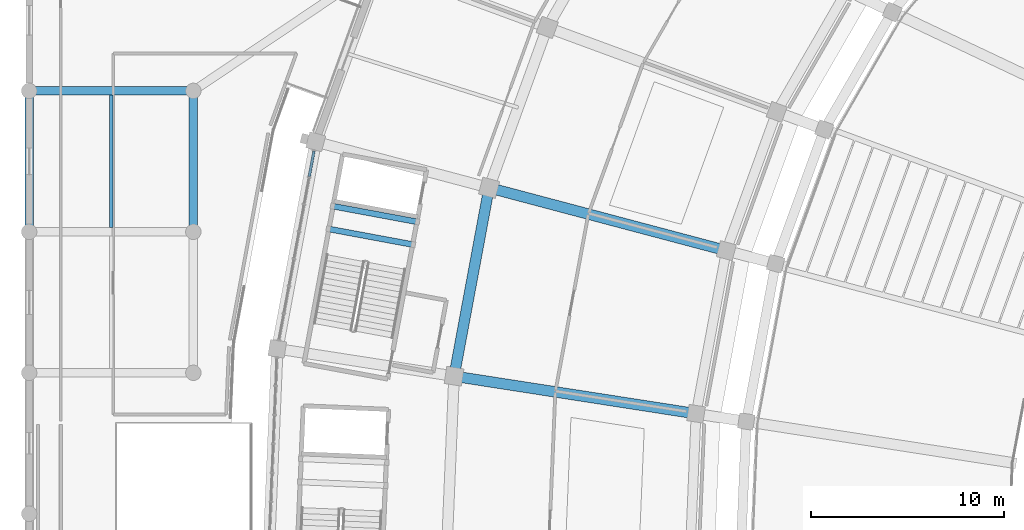
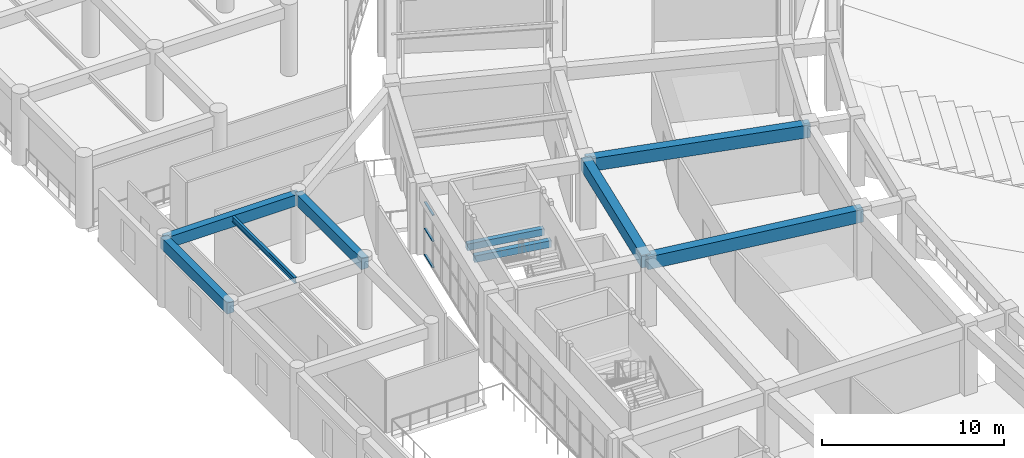
# One storey, part 31 of 152: 9 beams, 3 members, 1 element without a shape of its own.
"""IFC4 building model written with IfcOpenShell, lengths in metres."""

import ifcopenshell
import ifcopenshell.guid

model = None  # the IFC model being written
_history = None  # IfcOwnerHistory: only IFC2X3 demands one
_inside = {}  # id of a spatial element -> (the spatial element, [elements in it])
_under = {}  # id of a project, library or spatial element -> (it, [spatial elements below it])
_declared = {}  # id of a project -> (the project, [libraries it declares])
_typed = {}  # id of a type object -> (the type object, [elements of that type])
_made_of = {}  # id of a material, layer set ... -> (it, [elements and type objects made of it])


def new_model(schema):
    """Start an empty IFC model of exactly this schema.

    Asked for "IFC4X3", IfcOpenShell would pick the latest addendum, in which some entities
    have other attributes; the version numbers below select the first issue.
    IFC2X3 requires an IfcOwnerHistory on every rooted entity: one is made here for all.
    """
    global model, _history
    if schema == "IFC4X3":
        model = ifcopenshell.file(schema_version=(4, 3, 0, 0))
    else:
        model = ifcopenshell.file(schema=schema)
    _inside.clear()
    _under.clear()
    _declared.clear()
    _typed.clear()
    _made_of.clear()
    _history = None
    if model.schema == "IFC2X3":
        org = make("IfcOrganization", Name="unknown")
        user = make(
            "IfcPersonAndOrganization",
            ThePerson=make("IfcPerson", FamilyName="unknown"),
            TheOrganization=org,
        )
        app = make(
            "IfcApplication",
            ApplicationDeveloper=org,
            Version="unknown",
            ApplicationFullName="unknown",
            ApplicationIdentifier="unknown",
        )
        _history = make(
            "IfcOwnerHistory",
            OwningUser=user,
            OwningApplication=app,
            ChangeAction="ADDED",
            CreationDate=0,
        )
    return model


def make(cls, **values):
    """One entity of the class cls with the attributes given. An attribute that is None is left unset."""
    return model.create_entity(
        cls, **{name: value for name, value in values.items() if value is not None}
    )


def rooted(cls, **values):
    """An entity with a GlobalId (a new one), such as an element, a storey or a relation."""
    return make(cls, GlobalId=ifcopenshell.guid.new(), OwnerHistory=_history, **values)


def si_unit(unit_type, name, prefix=None):
    """IfcSIUnit, for example si_unit("LENGTHUNIT", "METRE", prefix="MILLI")."""
    return make("IfcSIUnit", UnitType=unit_type, Prefix=prefix, Name=name)


def assignment(units):
    """IfcUnitAssignment: the units of a project."""
    return None if units is None else make("IfcUnitAssignment", Units=units)


def point(xyz):
    """IfcCartesianPoint."""
    return None if xyz is None else make("IfcCartesianPoint", Coordinates=xyz)


def direction(xyz):
    """IfcDirection."""
    return None if xyz is None else make("IfcDirection", DirectionRatios=xyz)


def frame(location, z_axis=None, x_axis=None):
    """IfcAxis2Placement3D, a coordinate frame: its origin and axes. An axis left out is left unset."""
    return make(
        "IfcAxis2Placement3D",
        Location=point(location),
        Axis=direction(z_axis),
        RefDirection=direction(x_axis),
    )


def frame_2d(location, x_axis=None):
    """IfcAxis2Placement2D, a coordinate frame in the plane: its origin and x axis."""
    return make(
        "IfcAxis2Placement2D", Location=point(location), RefDirection=direction(x_axis)
    )


def origin():
    """The frame at (0, 0, 0) with its axes left unset."""
    return frame((0.0, 0.0, 0.0))


def origin_2d():
    """The frame at (0, 0) in the plane with its x axis left unset."""
    return frame_2d((0.0, 0.0))


def place(relative_to, where):
    """IfcLocalPlacement: puts the frame where relative to a parent placement (None: the world)."""
    return make(
        "IfcLocalPlacement", PlacementRelTo=relative_to, RelativePlacement=where
    )


def context(
    kind, dimensions, precision=None, world=None, true_north=None, identifier=None
):
    """IfcGeometricRepresentationContext, for example the 3D "Model" context."""
    return make(
        "IfcGeometricRepresentationContext",
        ContextIdentifier=identifier,
        ContextType=kind,
        CoordinateSpaceDimension=dimensions,
        Precision=precision,
        WorldCoordinateSystem=world,
        TrueNorth=true_north,
    )


def subcontext(parent, identifier, kind, view, scale=None):
    """IfcGeometricRepresentationSubContext, for example "Body" below "Model"."""
    return make(
        "IfcGeometricRepresentationSubContext",
        ContextIdentifier=identifier,
        ContextType=kind,
        ParentContext=parent,
        TargetScale=scale,
        TargetView=view,
    )


def project(units=None, contexts=None):
    """IfcProject with its units and contexts."""
    return rooted(
        "IfcProject",
        Name="project",
        RepresentationContexts=contexts,
        UnitsInContext=assignment(units),
    )


def spatial(cls, under=None, at=None, **own):
    """A site, building, storey or space (cls), placed at a placement, below another one or the project."""
    s = rooted(cls, ObjectPlacement=at, **own)
    if under is not None:
        _under.setdefault(under.id(), (under, []))[1].append(s)
    return s


def profile(cls, at=None, kind="AREA", **sizes):
    """A parametric profile (cls). Its sizes go by their IFC names, for example OverallWidth=200.0."""
    return make(cls, ProfileType=kind, Position=at, **sizes)


def rectangle(**sizes):
    """IfcRectangleProfileDef."""
    return profile("IfcRectangleProfileDef", **sizes)


def i_section(**sizes):
    """IfcIShapeProfileDef."""
    return profile("IfcIShapeProfileDef", **sizes)


def extrude(swept, where, along, depth):
    """IfcExtrudedAreaSolid: the profile swept, set in the frame where, extruded along a direction by depth."""
    return make(
        "IfcExtrudedAreaSolid",
        SweptArea=swept,
        Position=where,
        ExtrudedDirection=direction(along),
        Depth=depth,
    )


def shape(context_of_items, identifier, shape_type, items):
    """IfcShapeRepresentation: the items that make up one representation, for example the "Body"."""
    return make(
        "IfcShapeRepresentation",
        ContextOfItems=context_of_items,
        RepresentationIdentifier=identifier,
        RepresentationType=shape_type,
        Items=items,
    )


def material(Name=None, Category=None):
    """IfcMaterial."""
    return make("IfcMaterial", Name=Name, Category=Category)


def layer(
    of_material, thickness, ventilated=None, Name=None, Category=None, Priority=None
):
    """IfcMaterialLayer: one layer of a wall or slab, of a material (None: an air gap)."""
    return make(
        "IfcMaterialLayer",
        Material=of_material,
        LayerThickness=thickness,
        IsVentilated=ventilated,
        Name=Name,
        Category=Category,
        Priority=Priority,
    )


def layer_set(layers, Name=None):
    """IfcMaterialLayerSet."""
    return make("IfcMaterialLayerSet", MaterialLayers=layers, LayerSetName=Name)


def material_profile(
    of_material, cross_section, Name=None, Category=None, Priority=None
):
    """IfcMaterialProfile: a cross section and its material."""
    return make(
        "IfcMaterialProfile",
        Name=Name,
        Material=of_material,
        Profile=cross_section,
        Priority=Priority,
        Category=Category,
    )


def profile_set(profiles, Name=None, composite=None):
    """IfcMaterialProfileSet."""
    return make(
        "IfcMaterialProfileSet",
        Name=Name,
        MaterialProfiles=profiles,
        CompositeProfile=composite,
    )


def made_of(thing, what):
    """Note that an element or type object is made of a material, layer set ...; save() writes the relation."""
    if what is not None:
        _made_of.setdefault(what.id(), (what, []))[1].append(thing)
    return thing


def type_object(cls, material=None, **own):
    """A type object (cls), such as IfcWallType, which elements share."""
    return made_of(rooted(cls, **own), material)


def element(
    cls,
    number,
    at=None,
    inside=None,
    cuts=None,
    type_object=None,
    material=None,
    context=None,
    identifier="Body",
    shape_type=None,
    held_by="IfcProductDefinitionShape",
    body=None,
    shapes=None,
    **own,
):
    """One element of the class cls, such as IfcWall. Its Tag is "e" and its number.

    at: its placement. inside: the storey or other place that contains it. cuts: it is an
    opening in that element (IfcRelVoidsElement). A single representation is given by context,
    identifier, shape_type and body (its items); several are given by shapes. held_by: the class
    of the entity that holds the representations. save() writes the other relations.
    """
    e = rooted(cls, Tag="e%d" % number, ObjectPlacement=at, **own)
    if body is not None:
        shapes = [shape(context, identifier, shape_type, body)]
    if shapes is not None:
        e.Representation = make(held_by, Representations=shapes)
    if inside is not None:
        _inside.setdefault(inside.id(), (inside, []))[1].append(e)
    if cuts is not None:
        rooted(
            "IfcRelVoidsElement", RelatingBuildingElement=cuts, RelatedOpeningElement=e
        )
    if type_object is not None:
        _typed.setdefault(type_object.id(), (type_object, []))[1].append(e)
    return made_of(e, material)


def aggregate(whole, parts):
    """IfcRelAggregates: a whole, such as a stair, and the parts it consists of."""
    return rooted("IfcRelAggregates", RelatingObject=whole, RelatedObjects=parts)


def save(model, path):
    """Write the relations noted so far, then the file.

    IfcRelAggregates (storeys below a building ...), IfcRelContainedInSpatialStructure (elements
    in a storey), IfcRelDefinesByType, IfcRelAssociatesMaterial and IfcRelDeclares: one each for
    every whole, place, type object, material and project.
    """
    for whole, parts in _under.values():
        aggregate(whole, parts)
    for where, things in _inside.values():
        rooted(
            "IfcRelContainedInSpatialStructure",
            RelatedElements=things,
            RelatingStructure=where,
        )
    for kind, things in _typed.values():
        rooted("IfcRelDefinesByType", RelatedObjects=things, RelatingType=kind)
    for what, things in _made_of.values():
        rooted("IfcRelAssociatesMaterial", RelatedObjects=things, RelatingMaterial=what)
    for by, libraries in _declared.values():
        rooted("IfcRelDeclares", RelatingContext=by, RelatedDefinitions=libraries)
    model.write(path)


model = new_model("IFC4")

# Units and contexts
model_context = context("Model", 3, precision=1e-05, world=origin(), true_north=direction((0.0, 1.0)))
body_context = subcontext(model_context, "Body", "Model", "MODEL_VIEW")
ifc_project = project(units=[si_unit("LENGTHUNIT", "METRE"), si_unit("AREAUNIT", "SQUARE_METRE"), si_unit("VOLUMEUNIT", "CUBIC_METRE"), si_unit("PLANEANGLEUNIT", "RADIAN"), si_unit("MASSUNIT", "GRAM", prefix="KILO")], contexts=[model_context])

# Site, building, storey
site_placement = place(None, origin())
site = spatial("IfcSite", under=ifc_project, at=site_placement, CompositionType="ELEMENT")
building_placement = place(site_placement, origin())
building = spatial("IfcBuilding", under=site, at=building_placement, Name="Mphavela Belvedere Stadium", CompositionType="ELEMENT")
storey_placement = place(building_placement, frame((0.0, 0.0, 5.39990234375)))
storey = spatial("IfcBuildingStorey", under=building, at=storey_placement, Name="L01", CompositionType="ELEMENT", Elevation=5.39990234375)

# Beams
ifc_material_1 = material(Name="Steel S355", Category="steel")
ifc_material_profile_1 = material_profile(ifc_material_1, i_section(OverallWidth=0.169921875, OverallDepth=0.360107421875, WebThickness=0.008056640625, FlangeThickness=0.0126953125, at=origin_2d()), Name="IPE 360")
ifc_profile_set_1 = profile_set([ifc_material_profile_1], Name="Steel S355")
beam_type_1 = type_object("IfcBeamType", Name="BM-JOIST-IPE360", PredefinedType="JOIST", material=ifc_profile_set_1)
beam_1_placement = place(storey_placement, frame((4.25, 109.125, 4.360107421875), z_axis=(0.0, 1.0, 0.0), x_axis=(-1.0, 0.0, 0.0)))
element("IfcBeam", 1, at=beam_1_placement, inside=storey, type_object=beam_type_1, Name="West Planted Eaves Peristyle Colonnade secondary joist L01 1-9", PredefinedType="JOIST", context=body_context, shape_type="SweptSolid", body=[
    extrude(i_section(OverallWidth=0.169921875, OverallDepth=0.360107421875, WebThickness=0.008056640625, FlangeThickness=0.0126953125, at=origin_2d()), origin(), (0.0, 0.0, 1.0), 6.85009765625),
])
ifc_material_2 = material(Name="Concrete C40/50", Category="concrete")
ifc_material_profile_2 = material_profile(ifc_material_2, rectangle(XDim=0.300048828125, YDim=0.449951171875, at=origin_2d()), Name="RC 300x450")
ifc_profile_set_2 = profile_set([ifc_material_profile_2], Name="Concrete C40/50")
beam_type_2 = type_object("IfcBeamType", Name="BM-RC300x450", PredefinedType="BEAM", material=ifc_profile_set_2)
for number, where, z_axis, x_axis, name in (
    (2, (19.88623046875, 108.2353515625, 1.97509765625), (-0.9831891563, 0.182589931088, 0.0), (-0.182589931088, -0.9831891563, 0.0), "Core C06 landing trimmer beam L01-1"),
    (3, (20.105224609375, 109.415283203125, 1.97509765625), (-0.983198960132, 0.182537132646, 0.0), (-0.182537132646, -0.983198960132, 0.0), "Core C06 landing trimmer beam L01-2"),
):
    element("IfcBeam", number, at=place(storey_placement, frame(where, z_axis=z_axis, x_axis=x_axis)), inside=storey, type_object=beam_type_2, Name=name, PredefinedType="BEAM", context=body_context, shape_type="SweptSolid", body=[
        extrude(rectangle(XDim=0.300048828125, YDim=0.449951171875, at=origin_2d()), origin(), (0.0, 0.0, 1.0), 4.469970703125),
    ])
ifc_material_3 = material(Name="Concrete C40/50", Category="concrete")
ifc_material_profile_3 = material_profile(ifc_material_3, rectangle(XDim=0.449951171875, YDim=0.75, at=origin_2d()), Name="RC 450x750")
ifc_profile_set_3 = profile_set([ifc_material_profile_3], Name="Concrete C40/50")
beam_type_3 = type_object("IfcBeamType", Name="BM-RC450x750", PredefinedType="BEAM", material=ifc_profile_set_3)
beam_2_placement = place(storey_placement, frame((0.0, 108.89990234375, 4.1650390625), z_axis=(0.0, 1.0, 0.0), x_axis=(-1.0, 0.0, 0.0)))
element("IfcBeam", 4, at=beam_2_placement, inside=storey, type_object=beam_type_3, Name="West Planted Eaves Peristyle Colonnade entablature beam Y L01 1-9", PredefinedType="BEAM", context=body_context, shape_type="SweptSolid", body=[
    extrude(rectangle(XDim=0.449951171875, YDim=0.75, at=origin_2d()), origin(), (0.0, 0.0, 1.0), 7.300048828125),
])
beam_3_placement = place(storey_placement, frame((0.0, 116.199951171875, 4.1650390625), z_axis=(1.0, 0.0, 0.0), x_axis=(0.0, 1.0, 0.0)))
element("IfcBeam", 5, at=beam_3_placement, inside=storey, type_object=beam_type_3, Name="West Planted Eaves Peristyle Colonnade entablature beam X L01 1-10", PredefinedType="BEAM", context=body_context, shape_type="SweptSolid", body=[
    extrude(rectangle(XDim=0.449951171875, YDim=0.75, at=origin_2d()), origin(), (0.0, 0.0, 1.0), 8.5),
])
beam_4_placement = place(storey_placement, frame((8.5, 108.89990234375, 4.1650390625), z_axis=(0.0, 1.0, 0.0), x_axis=(-1.0, 0.0, 0.0)))
element("IfcBeam", 6, at=beam_4_placement, inside=storey, type_object=beam_type_3, Name="West Planted Eaves Peristyle Colonnade entablature beam Y L01 2-9", PredefinedType="BEAM", context=body_context, shape_type="SweptSolid", body=[
    extrude(rectangle(XDim=0.449951171875, YDim=0.75, at=origin_2d()), origin(), (0.0, 0.0, 1.0), 7.300048828125),
])
ifc_material_4 = material(Name="Concrete C40/50", Category="concrete")
ifc_material_profile_4 = material_profile(ifc_material_4, rectangle(XDim=0.550048828125, YDim=0.85009765625, at=origin_2d()), Name="RC 550x850")
ifc_profile_set_4 = profile_set([ifc_material_profile_4], Name="Concrete C40/50")
beam_type_4 = type_object("IfcBeamType", Name="BM-RC550x850", PredefinedType="BEAM", material=ifc_profile_set_4)
beam_5_placement = place(storey_placement, frame((23.8125, 111.181884765625, 4.125), z_axis=(-0.182638056683, -0.983180217585, 0.0), x_axis=(0.983180217585, -0.182638056683, 0.0)))
element("IfcBeam", 7, at=beam_5_placement, inside=storey, type_object=beam_type_4, Name="Circumferential girder L01 R3-23", PredefinedType="BEAM", context=body_context, shape_type="SweptSolid", body=[
    extrude(rectangle(XDim=0.550048828125, YDim=0.85009765625, at=origin_2d()), origin(), (0.0, 0.0, 1.0), 9.924072265625),
])
beam_6_placement = place(storey_placement, frame((36.0966796875, 107.92431640625, 4.125), z_axis=(-0.966590800726, 0.256324450554, 0.0), x_axis=(-0.256324450554, -0.966590800726, 0.0)))
element("IfcBeam", 8, at=beam_6_placement, inside=storey, type_object=beam_type_4, Name="Radial concourse girder L01 R2R3-23", PredefinedType="BEAM", context=body_context, shape_type="SweptSolid", body=[
    extrude(rectangle(XDim=0.550048828125, YDim=0.85009765625, at=origin_2d()), origin(), (0.0, 0.0, 1.0), 12.708740234375),
])
beam_7_placement = place(storey_placement, frame((34.528564453125, 99.481689453125, 4.125), z_axis=(-0.988185521494, 0.153262438677, 0.0), x_axis=(-0.153262438677, -0.988185521494, 0.0)))
element("IfcBeam", 9, at=beam_7_placement, inside=storey, type_object=beam_type_4, Name="Radial concourse girder L01 R2R3-24", PredefinedType="BEAM", context=body_context, shape_type="SweptSolid", body=[
    extrude(rectangle(XDim=0.550048828125, YDim=0.85009765625, at=origin_2d()), origin(), (0.0, 0.0, 1.0), 12.678466796875),
])

# Curtain wall, members
ifc_material_5 = material(Name="Anodised bronze unitised curtain wall framing")
ifc_layer = layer(ifc_material_5, 0.18505859375)
ifc_layer_set = layer_set([ifc_layer], Name="Anodised bronze unitised curtain wall framing")
curtain_wall_type = type_object("IfcCurtainWallType", Name="CW-UNIT-02", PredefinedType="USERDEFINED", material=ifc_layer_set)
curtain_wall_placement = place(storey_placement, origin())
curtain_wall = element("IfcCurtainWall", 10, at=curtain_wall_placement, inside=storey, type_object=curtain_wall_type, Name="Belvedere colonnade curtain wall L01-23", ObjectType="UNITISED CURTAIN WALL", PredefinedType="USERDEFINED")
ifc_material_6 = material(Name="Anodised bronze extruded aluminium", Category="aluminium")
ifc_material_profile_5 = material_profile(ifc_material_6, rectangle(XDim=0.139892578125, YDim=0.06005859375, at=origin_2d()), Name="CW-TRN 140x60")
ifc_profile_set_5 = profile_set([ifc_material_profile_5], Name="Anodised bronze extruded aluminium")
member_type = type_object("IfcMemberType", Name="CWT-140x60", PredefinedType="USERDEFINED", material=ifc_profile_set_5)
member_1_placement = place(storey_placement, frame((14.746337890625, 113.082763671875, 0.030029296875), z_axis=(-0.182702984159, -0.983168154275, 0.0), x_axis=(0.983168154275, -0.182702984159, 0.0)))
member_1 = element("IfcMember", 11, at=member_1_placement, type_object=member_type, Name="CW-02 transom 1.1", ObjectType="TRANSOM", PredefinedType="USERDEFINED", context=body_context, shape_type="SweptSolid", body=[
    extrude(rectangle(XDim=0.139892578125, YDim=0.06005859375, at=origin_2d()), origin(), (0.0, 0.0, 1.0), 1.3388671875),
])
member_2_placement = place(storey_placement, frame((14.746337890625, 113.082763671875, 1.78515625), z_axis=(-0.182702984159, -0.983168154275, 0.0), x_axis=(0.983168154275, -0.182702984159, 0.0)))
member_2 = element("IfcMember", 12, at=member_2_placement, type_object=member_type, Name="CW-02 transom 1.2", ObjectType="TRANSOM", PredefinedType="USERDEFINED", context=body_context, shape_type="SweptSolid", body=[
    extrude(rectangle(XDim=0.139892578125, YDim=0.06005859375, at=origin_2d()), origin(), (0.0, 0.0, 1.0), 1.3388671875),
])
member_3_placement = place(storey_placement, frame((14.746337890625, 113.082763671875, 3.5400390625), z_axis=(-0.182702984159, -0.983168154275, 0.0), x_axis=(0.983168154275, -0.182702984159, 0.0)))
member_3 = element("IfcMember", 13, at=member_3_placement, type_object=member_type, Name="CW-02 transom 1.3", ObjectType="TRANSOM", PredefinedType="USERDEFINED", context=body_context, shape_type="SweptSolid", body=[
    extrude(rectangle(XDim=0.139892578125, YDim=0.06005859375, at=origin_2d()), origin(), (0.0, 0.0, 1.0), 1.3388671875),
])
aggregate(curtain_wall, [member_1, member_2, member_3])

save(model, "model.ifc")
